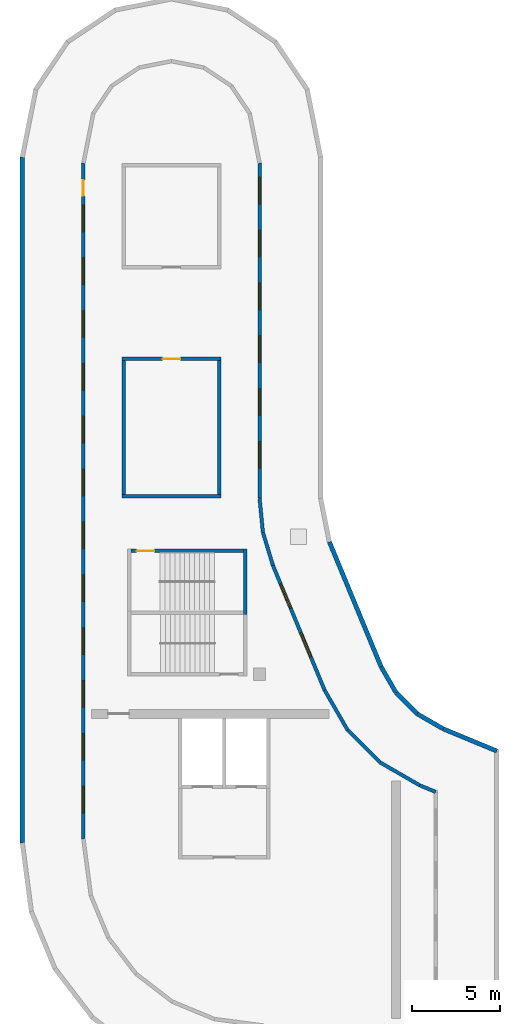
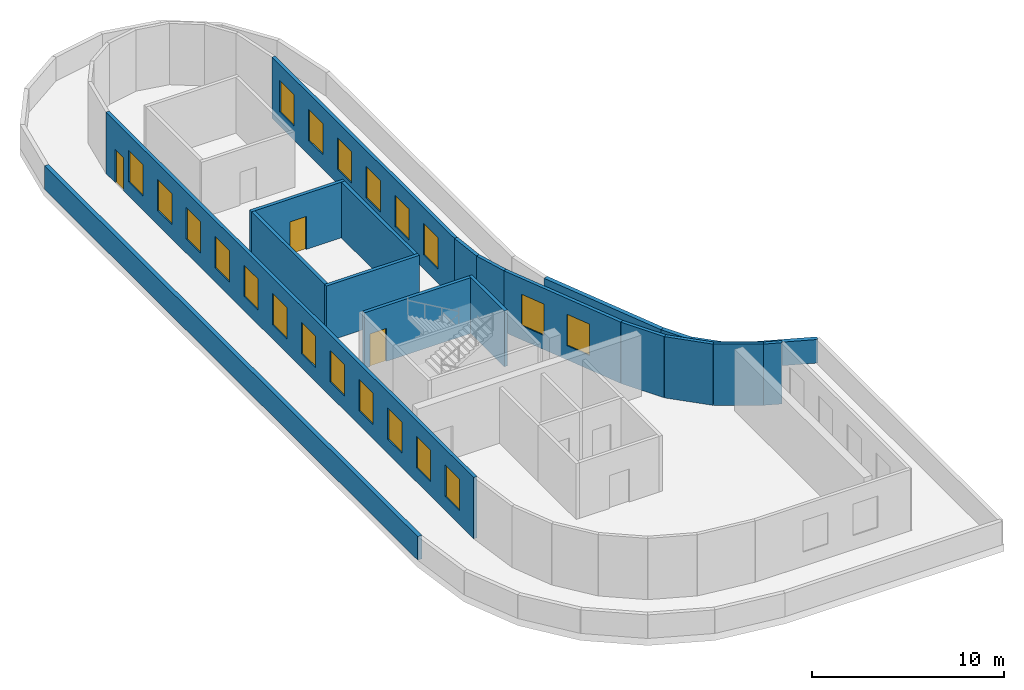
# One storey, part 2 of 4: 21 walls, 20 windows, 3 doors, 23 openings.
"""IFC4 building model written with IfcOpenShell, lengths in metres."""

from ifc_helpers import new_model, si_unit, direction, frame, frame_2d, origin, place, context, subcontext, project, spatial, rectangle, extrude, material, layer, layer_set, type_object, element, fill, save


model = new_model("IFC4")

# Units and contexts
model_context = context("Model", 3, precision=1e-05, world=origin(), true_north=direction((0.0, 1.0)))
body_context = subcontext(model_context, "Body", "Model", "MODEL_VIEW")
ifc_project = project(units=[si_unit("LENGTHUNIT", "METRE"), si_unit("AREAUNIT", "SQUARE_METRE"), si_unit("VOLUMEUNIT", "CUBIC_METRE"), si_unit("PLANEANGLEUNIT", "RADIAN"), si_unit("MASSUNIT", "GRAM", prefix="KILO")], contexts=[model_context])

# Site, building, storey
site_placement = place(None, origin())
site = spatial("IfcSite", under=ifc_project, at=site_placement, CompositionType="ELEMENT")
building_placement = place(site_placement, origin())
building = spatial("IfcBuilding", under=site, at=building_placement, Name="Qaws Garden Tower", CompositionType="ELEMENT")
storey_placement = place(building_placement, frame((0.0, 0.0, 373.800048828125)))
storey = spatial("IfcBuildingStorey", under=building, at=storey_placement, Name="C3", CompositionType="ELEMENT", Elevation=373.800048828125)

# Wall, opening, door
ifc_material_1 = material(Name="Concrete C60", Category="concrete")
ifc_layer_1 = layer(ifc_material_1, 0.199951171875)
ifc_layer_set_1 = layer_set([ifc_layer_1], Name="Concrete C60")
wall_type_1 = type_object("IfcWallType", Name="Core shaft wall 200 C60", PredefinedType="SHEAR", material=ifc_layer_set_1)
wall_1_placement = place(storey_placement, frame((12.699951171875, 37.0, 0.0), z_axis=(0.0, 0.0, 1.0), x_axis=(1.0, 0.0, 0.0)))
wall_1 = element("IfcWall", 1, at=wall_1_placement, inside=storey, type_object=wall_type_1, Name="Crown stair 2 wall", PredefinedType="SHEAR", context=body_context, shape_type="SweptSolid", body=[
    extrude(rectangle(XDim=6.400146484375, YDim=0.199951171875, at=frame_2d((3.2001953125, 0.0))), origin(), (0.0, 0.0, 1.0), 3.550048828125),
])
opening_1_placement = place(wall_1_placement, frame((0.324951171875, 0.0, 0.0)))
opening_1 = element("IfcOpeningElement", 2, at=opening_1_placement, cuts=wall_1, Name="Opening C1021", PredefinedType="OPENING", context=body_context, shape_type="SweptSolid", body=[
    extrude(rectangle(XDim=1.0, YDim=2.10009765625, at=frame_2d((0.5, 1.050048828125))), frame((0.0, 0.10986328125, 0.0), z_axis=(0.0, -1.0, 0.0), x_axis=(1.0, 0.0, 0.0)), (0.0, 0.0, 1.0), 0.219970703125),
])
ifc_material_2 = material(Name="Steel S235", Category="steel")
door_type_1 = type_object("IfcDoorType", Name="Stair door 1000x2100", OperationType="SINGLE_SWING_RIGHT", PredefinedType="DOOR", material=ifc_material_2)
door_1_placement = place(opening_1_placement, frame((1.0, 0.0, 0.0), z_axis=(0.0, 0.0, 1.0), x_axis=(-1.0, 0.0, 0.0)))
door_1 = element("IfcDoor", 3, at=door_1_placement, inside=storey, type_object=door_type_1, Name="Crown stair 2 door", OperationType="SINGLE_SWING_RIGHT", OverallHeight=2.10009765625, OverallWidth=1.0, PredefinedType="DOOR", context=body_context, shape_type="SweptSolid", body=[
    extrude(rectangle(XDim=1.0, YDim=2.10009765625, at=frame_2d((0.5, 1.050048828125))), frame((0.0, 0.02490234375, 0.0), z_axis=(0.0, -1.0, 0.0), x_axis=(1.0, 0.0, 0.0)), (0.0, 0.0, 1.0), 0.050048828125),
])
fill(opening_1, door_1)

# Walls
wall_2_placement = place(storey_placement, frame((19.199951171875, 33.39990234375, 0.0), z_axis=(0.0, 0.0, 1.0), x_axis=(0.0, 1.0, 0.0)))
element("IfcWall", 4, at=wall_2_placement, inside=storey, type_object=wall_type_1, Name="Crown stair 2 wall", PredefinedType="SHEAR", context=body_context, shape_type="SweptSolid", body=[
    extrude(rectangle(XDim=3.7001953125, YDim=0.199951171875, at=frame_2d((1.85009765625, 0.0))), origin(), (0.0, 0.0, 1.0), 3.550048828125),
])
ifc_material_3 = material(Name="Brick masonry", Category="masonry")
ifc_layer_2 = layer(ifc_material_3, 0.25)
ifc_layer_set_2 = layer_set([ifc_layer_2], Name="Brick masonry")
wall_type_2 = type_object("IfcWallType", Name="Parapet 250", PredefinedType="PARAPET", material=ifc_layer_set_2)
wall_3_placement = place(storey_placement, frame((6.52490234375, 20.427734375, 0.0), z_axis=(0.0, 0.0, 1.0), x_axis=(0.0, 1.0, 0.0)))
element("IfcWall", 5, at=wall_3_placement, inside=storey, type_object=wall_type_2, Name="Maintenance terrace parapet C3", PredefinedType="PARAPET", context=body_context, shape_type="SweptSolid", body=[
    extrude(rectangle(XDim=38.9296875, YDim=0.25, at=frame_2d((19.46484375, 0.0))), origin(), (0.0, 0.0, 1.0), 1.5),
])
wall_4_placement = place(storey_placement, frame((23.967041015625, 37.514404296875, 0.0), z_axis=(0.0, 0.0, 1.0), x_axis=(0.382678651477, -0.923881512806, 0.0)))
element("IfcWall", 6, at=wall_4_placement, inside=storey, type_object=wall_type_2, Name="Maintenance terrace parapet C3", PredefinedType="PARAPET", context=body_context, shape_type="SweptSolid", body=[
    extrude(rectangle(XDim=7.67431640625, YDim=0.25, at=frame_2d((3.837158203125, 0.0))), origin(), (0.0, 0.0, 1.0), 1.5),
])
wall_5_placement = place(storey_placement, frame((26.90380859375, 30.42431640625, 0.0), z_axis=(0.0, 0.0, 1.0), x_axis=(0.499980071345, -0.866036909293, 0.0)))
element("IfcWall", 7, at=wall_5_placement, inside=storey, type_object=wall_type_2, Name="Maintenance terrace parapet C3", PredefinedType="PARAPET", context=body_context, shape_type="SweptSolid", body=[
    extrude(rectangle(XDim=1.6953125, YDim=0.25, at=frame_2d((0.84765625, 0.0))), origin(), (0.0, 0.0, 1.0), 1.5),
])
wall_6_placement = place(storey_placement, frame((27.75146484375, 28.9560546875, 0.0), z_axis=(0.0, 0.0, 1.0), x_axis=(0.707106781187, -0.707106781187, 0.0)))
element("IfcWall", 8, at=wall_6_placement, inside=storey, type_object=wall_type_2, Name="Maintenance terrace parapet C3", PredefinedType="PARAPET", context=body_context, shape_type="SweptSolid", body=[
    extrude(rectangle(XDim=1.70361328125, YDim=0.25, at=frame_2d((0.851806640625, 0.0))), origin(), (0.0, 0.0, 1.0), 1.5),
])
wall_7_placement = place(storey_placement, frame((28.9560546875, 27.75146484375, 0.0), z_axis=(0.0, 0.0, 1.0), x_axis=(0.866036909293, -0.499980071345, 0.0)))
element("IfcWall", 9, at=wall_7_placement, inside=storey, type_object=wall_type_2, Name="Maintenance terrace parapet C3", PredefinedType="PARAPET", context=body_context, shape_type="SweptSolid", body=[
    extrude(rectangle(XDim=1.6953125, YDim=0.25, at=frame_2d((0.84765625, 0.0))), origin(), (0.0, 0.0, 1.0), 1.5),
])
wall_8_placement = place(storey_placement, frame((30.42431640625, 26.90380859375, 0.0), z_axis=(0.0, 0.0, 1.0), x_axis=(0.923879863842, -0.382682632462, 0.0)))
element("IfcWall", 10, at=wall_8_placement, inside=storey, type_object=wall_type_2, Name="Maintenance terrace parapet C3", PredefinedType="PARAPET", context=body_context, shape_type="SweptSolid", body=[
    extrude(rectangle(XDim=3.30224609375, YDim=0.25, at=frame_2d((1.651123046875, 0.0))), origin(), (0.0, 0.0, 1.0), 1.5),
])
ifc_material_4 = material(Name="Blockwork", Category="masonry")
ifc_layer_3 = layer(ifc_material_4, 0.199951171875)
ifc_layer_set_3 = layer_set([ifc_layer_3], Name="Blockwork")
wall_type_3 = type_object("IfcWallType", Name="Plant room wall 200", PredefinedType="PARTITIONING", material=ifc_layer_set_3)
wall_9_placement = place(storey_placement, frame((12.199951171875, 40.10009765625, 0.0), z_axis=(0.0, 0.0, 1.0), x_axis=(1.0, 0.0, 0.0)))
element("IfcWall", 11, at=wall_9_placement, inside=storey, type_object=wall_type_3, Name="Roof plant room wall", PredefinedType="PARTITIONING", context=body_context, shape_type="SweptSolid", body=[
    extrude(rectangle(XDim=5.60009765625, YDim=0.199951171875, at=frame_2d((2.800048828125, 0.0))), origin(), (0.0, 0.0, 1.0), 3.550048828125),
])

# Wall, opening, door
wall_10_placement = place(storey_placement, frame((12.199951171875, 47.89990234375, 0.0), z_axis=(0.0, 0.0, 1.0), x_axis=(1.0, 0.0, 0.0)))
wall_10 = element("IfcWall", 12, at=wall_10_placement, inside=storey, type_object=wall_type_3, Name="Roof plant room wall", PredefinedType="PARTITIONING", context=body_context, shape_type="SweptSolid", body=[
    extrude(rectangle(XDim=5.60009765625, YDim=0.199951171875, at=frame_2d((2.800048828125, 0.0))), origin(), (0.0, 0.0, 1.0), 3.550048828125),
])
opening_2_placement = place(wall_10_placement, frame((2.300048828125, 0.0, 0.0)))
opening_2 = element("IfcOpeningElement", 13, at=opening_2_placement, cuts=wall_10, Name="Opening PD12-01", PredefinedType="OPENING", context=body_context, shape_type="SweptSolid", body=[
    extrude(rectangle(XDim=1.0, YDim=2.10009765625, at=frame_2d((0.5, 1.050048828125))), frame((0.0, 0.10986328125, 0.0), z_axis=(0.0, -1.0, 0.0), x_axis=(1.0, 0.0, 0.0)), (0.0, 0.0, 1.0), 0.219970703125),
])
ifc_material_5 = material(Name="Steel S235 framed door leaf", Category="steel")
door_type_2 = type_object("IfcDoorType", Name="Door D12 fire single 1000", OperationType="SINGLE_SWING_LEFT", PredefinedType="DOOR", material=ifc_material_5)
door_2_placement = place(opening_2_placement, frame((1.0, 0.0, 0.0), z_axis=(0.0, 0.0, 1.0), x_axis=(-1.0, 0.0, 0.0)))
door_2 = element("IfcDoor", 14, at=door_2_placement, inside=storey, type_object=door_type_2, Name="Roof plant room door", OperationType="SINGLE_SWING_LEFT", OverallHeight=2.10009765625, OverallWidth=1.0, PredefinedType="DOOR", context=body_context, shape_type="SweptSolid", body=[
    extrude(rectangle(XDim=1.0, YDim=2.10009765625, at=frame_2d((0.5, 1.050048828125))), frame((0.0, 0.02490234375, 0.0), z_axis=(0.0, -1.0, 0.0), x_axis=(1.0, 0.0, 0.0)), (0.0, 0.0, 1.0), 0.050048828125),
])
fill(opening_2, door_2)

# Walls
for number, where, z_axis, x_axis, name in (
    (15, (12.300048828125, 40.199951171875, 0.0), (0.0, 0.0, 1.0), (0.0, 1.0, 0.0), "Roof plant room wall"),
    (16, (17.699951171875, 40.199951171875, 0.0), (0.0, 0.0, 1.0), (0.0, 1.0, 0.0), "Roof plant room wall"),
):
    element("IfcWall", number, at=place(storey_placement, frame(where, z_axis=z_axis, x_axis=x_axis)), inside=storey, type_object=wall_type_3, Name=name, PredefinedType="PARTITIONING", context=body_context, shape_type="SweptSolid", body=[
        extrude(rectangle(XDim=7.60009765625, YDim=0.199951171875, at=frame_2d((3.800048828125, 0.0))), origin(), (0.0, 0.0, 1.0), 3.550048828125),
    ])

# Wall, openings, windows, door
ifc_material_6 = material(Name="Brick masonry", Category="masonry")
ifc_layer_4 = layer(ifc_material_6, 0.199951171875)
ifc_layer_set_4 = layer_set([ifc_layer_4], Name="Brick masonry")
wall_type_4 = type_object("IfcWallType", Name="Plant screen louvre 200", PredefinedType="STANDARD", material=ifc_layer_set_4)
wall_11_placement = place(storey_placement, frame((10.0, 20.655517578125, 0.0), z_axis=(0.0, 0.0, 1.0), x_axis=(0.0, 1.0, 0.0)))
wall_11 = element("IfcWall", 17, at=wall_11_placement, inside=storey, type_object=wall_type_4, Name="Plant screen wall C3 7", PredefinedType="STANDARD", context=body_context, shape_type="SweptSolid", body=[
    extrude(rectangle(XDim=38.359619140625, YDim=0.199951171875, at=frame_2d((19.1796875, 0.0))), origin(), (0.0, 0.0, 1.0), 3.89990234375),
])
opening_3_placement = place(wall_11_placement, frame((1.479736328125, 0.0, 0.89990234375)))
opening_3 = element("IfcOpeningElement", 18, at=opening_3_placement, cuts=wall_11, Name="Opening PW-S4", PredefinedType="OPENING", context=body_context, shape_type="SweptSolid", body=[
    extrude(rectangle(XDim=1.5, YDim=2.0, at=frame_2d((0.75, 1.0))), frame((0.0, 0.10986328125, 0.0), z_axis=(0.0, -1.0, 0.0), x_axis=(1.0, 0.0, 0.0)), (0.0, 0.0, 1.0), 0.219970703125),
])
opening_4_placement = place(wall_11_placement, frame((4.479736328125, 0.0, 0.89990234375)))
opening_4 = element("IfcOpeningElement", 19, at=opening_4_placement, cuts=wall_11, Name="Opening PW-S4", PredefinedType="OPENING", context=body_context, shape_type="SweptSolid", body=[
    extrude(rectangle(XDim=1.5, YDim=2.0, at=frame_2d((0.75, 1.0))), frame((0.0, 0.10986328125, 0.0), z_axis=(0.0, -1.0, 0.0), x_axis=(1.0, 0.0, 0.0)), (0.0, 0.0, 1.0), 0.219970703125),
])
opening_5_placement = place(wall_11_placement, frame((7.479736328125, 0.0, 0.89990234375)))
opening_5 = element("IfcOpeningElement", 20, at=opening_5_placement, cuts=wall_11, Name="Opening PW-S4", PredefinedType="OPENING", context=body_context, shape_type="SweptSolid", body=[
    extrude(rectangle(XDim=1.5, YDim=2.0, at=frame_2d((0.75, 1.0))), frame((0.0, 0.10986328125, 0.0), z_axis=(0.0, -1.0, 0.0), x_axis=(1.0, 0.0, 0.0)), (0.0, 0.0, 1.0), 0.219970703125),
])
opening_6_placement = place(wall_11_placement, frame((10.479736328125, 0.0, 0.89990234375)))
opening_6 = element("IfcOpeningElement", 21, at=opening_6_placement, cuts=wall_11, Name="Opening PW-S4", PredefinedType="OPENING", context=body_context, shape_type="SweptSolid", body=[
    extrude(rectangle(XDim=1.5, YDim=2.0, at=frame_2d((0.75, 1.0))), frame((0.0, 0.10986328125, 0.0), z_axis=(0.0, -1.0, 0.0), x_axis=(1.0, 0.0, 0.0)), (0.0, 0.0, 1.0), 0.219970703125),
])
opening_7_placement = place(wall_11_placement, frame((13.479736328125, 0.0, 0.89990234375)))
opening_7 = element("IfcOpeningElement", 22, at=opening_7_placement, cuts=wall_11, Name="Opening PW-S4", PredefinedType="OPENING", context=body_context, shape_type="SweptSolid", body=[
    extrude(rectangle(XDim=1.5, YDim=2.0, at=frame_2d((0.75, 1.0))), frame((0.0, 0.10986328125, 0.0), z_axis=(0.0, -1.0, 0.0), x_axis=(1.0, 0.0, 0.0)), (0.0, 0.0, 1.0), 0.219970703125),
])
opening_8_placement = place(wall_11_placement, frame((16.479736328125, 0.0, 0.89990234375)))
opening_8 = element("IfcOpeningElement", 23, at=opening_8_placement, cuts=wall_11, Name="Opening PW-S4", PredefinedType="OPENING", context=body_context, shape_type="SweptSolid", body=[
    extrude(rectangle(XDim=1.5, YDim=2.0, at=frame_2d((0.75, 1.0))), frame((0.0, 0.10986328125, 0.0), z_axis=(0.0, -1.0, 0.0), x_axis=(1.0, 0.0, 0.0)), (0.0, 0.0, 1.0), 0.219970703125),
])
opening_9_placement = place(wall_11_placement, frame((19.479736328125, 0.0, 0.89990234375)))
opening_9 = element("IfcOpeningElement", 24, at=opening_9_placement, cuts=wall_11, Name="Opening PW-S4", PredefinedType="OPENING", context=body_context, shape_type="SweptSolid", body=[
    extrude(rectangle(XDim=1.5, YDim=2.0, at=frame_2d((0.75, 1.0))), frame((0.0, 0.10986328125, 0.0), z_axis=(0.0, -1.0, 0.0), x_axis=(1.0, 0.0, 0.0)), (0.0, 0.0, 1.0), 0.219970703125),
])
opening_10_placement = place(wall_11_placement, frame((22.479736328125, 0.0, 0.89990234375)))
opening_10 = element("IfcOpeningElement", 25, at=opening_10_placement, cuts=wall_11, Name="Opening PW-S4", PredefinedType="OPENING", context=body_context, shape_type="SweptSolid", body=[
    extrude(rectangle(XDim=1.5, YDim=2.0, at=frame_2d((0.75, 1.0))), frame((0.0, 0.10986328125, 0.0), z_axis=(0.0, -1.0, 0.0), x_axis=(1.0, 0.0, 0.0)), (0.0, 0.0, 1.0), 0.219970703125),
])
opening_11_placement = place(wall_11_placement, frame((25.479736328125, 0.0, 0.89990234375)))
opening_11 = element("IfcOpeningElement", 26, at=opening_11_placement, cuts=wall_11, Name="Opening PW-S4", PredefinedType="OPENING", context=body_context, shape_type="SweptSolid", body=[
    extrude(rectangle(XDim=1.5, YDim=2.0, at=frame_2d((0.75, 1.0))), frame((0.0, 0.10986328125, 0.0), z_axis=(0.0, -1.0, 0.0), x_axis=(1.0, 0.0, 0.0)), (0.0, 0.0, 1.0), 0.219970703125),
])
opening_12_placement = place(wall_11_placement, frame((28.479736328125, 0.0, 0.89990234375)))
opening_12 = element("IfcOpeningElement", 27, at=opening_12_placement, cuts=wall_11, Name="Opening PW-S4", PredefinedType="OPENING", context=body_context, shape_type="SweptSolid", body=[
    extrude(rectangle(XDim=1.5, YDim=2.0, at=frame_2d((0.75, 1.0))), frame((0.0, 0.10986328125, 0.0), z_axis=(0.0, -1.0, 0.0), x_axis=(1.0, 0.0, 0.0)), (0.0, 0.0, 1.0), 0.219970703125),
])
opening_13_placement = place(wall_11_placement, frame((31.479736328125, 0.0, 0.89990234375)))
opening_13 = element("IfcOpeningElement", 28, at=opening_13_placement, cuts=wall_11, Name="Opening PW-S4", PredefinedType="OPENING", context=body_context, shape_type="SweptSolid", body=[
    extrude(rectangle(XDim=1.5, YDim=2.0, at=frame_2d((0.75, 1.0))), frame((0.0, 0.10986328125, 0.0), z_axis=(0.0, -1.0, 0.0), x_axis=(1.0, 0.0, 0.0)), (0.0, 0.0, 1.0), 0.219970703125),
])
opening_14_placement = place(wall_11_placement, frame((34.479736328125, 0.0, 0.89990234375)))
opening_14 = element("IfcOpeningElement", 29, at=opening_14_placement, cuts=wall_11, Name="Opening PW-S4", PredefinedType="OPENING", context=body_context, shape_type="SweptSolid", body=[
    extrude(rectangle(XDim=1.5, YDim=2.0, at=frame_2d((0.75, 1.0))), frame((0.0, 0.10986328125, 0.0), z_axis=(0.0, -1.0, 0.0), x_axis=(1.0, 0.0, 0.0)), (0.0, 0.0, 1.0), 0.219970703125),
])
opening_15_placement = place(wall_11_placement, frame((36.5, 0.0, 0.0)))
opening_15 = element("IfcOpeningElement", 30, at=opening_15_placement, cuts=wall_11, Name="Opening PD9-01", PredefinedType="OPENING", context=body_context, shape_type="SweptSolid", body=[
    extrude(rectangle(XDim=0.89990234375, YDim=2.10009765625, at=frame_2d((0.449951171875, 1.050048828125))), frame((0.0, 0.10986328125, 0.0), z_axis=(0.0, -1.0, 0.0), x_axis=(1.0, 0.0, 0.0)), (0.0, 0.0, 1.0), 0.219970703125),
])
ifc_material_7 = material(Name="Aluminium louvre", Category="aluminium")
window_type = type_object("IfcWindowType", Name="Plant louvre 1500", PartitioningType="SINGLE_PANEL", PredefinedType="WINDOW", material=ifc_material_7)
window_1_placement = place(opening_3_placement, origin())
window_1 = element("IfcWindow", 31, at=window_1_placement, inside=storey, type_object=window_type, Name="Plant louvre", OverallHeight=2.0, OverallWidth=1.5, PartitioningType="SINGLE_PANEL", PredefinedType="WINDOW", context=body_context, shape_type="SweptSolid", body=[
    extrude(rectangle(XDim=1.5, YDim=2.0, at=frame_2d((0.75, 1.0))), frame((0.0, 0.030029296875, 0.0), z_axis=(0.0, -1.0, 0.0), x_axis=(1.0, 0.0, 0.0)), (0.0, 0.0, 1.0), 0.06005859375),
])
fill(opening_3, window_1)
window_2_placement = place(opening_4_placement, origin())
window_2 = element("IfcWindow", 32, at=window_2_placement, inside=storey, type_object=window_type, Name="Plant louvre", OverallHeight=2.0, OverallWidth=1.5, PartitioningType="SINGLE_PANEL", PredefinedType="WINDOW", context=body_context, shape_type="SweptSolid", body=[
    extrude(rectangle(XDim=1.5, YDim=2.0, at=frame_2d((0.75, 1.0))), frame((0.0, 0.030029296875, 0.0), z_axis=(0.0, -1.0, 0.0), x_axis=(1.0, 0.0, 0.0)), (0.0, 0.0, 1.0), 0.06005859375),
])
fill(opening_4, window_2)
window_3_placement = place(opening_5_placement, origin())
window_3 = element("IfcWindow", 33, at=window_3_placement, inside=storey, type_object=window_type, Name="Plant louvre", OverallHeight=2.0, OverallWidth=1.5, PartitioningType="SINGLE_PANEL", PredefinedType="WINDOW", context=body_context, shape_type="SweptSolid", body=[
    extrude(rectangle(XDim=1.5, YDim=2.0, at=frame_2d((0.75, 1.0))), frame((0.0, 0.030029296875, 0.0), z_axis=(0.0, -1.0, 0.0), x_axis=(1.0, 0.0, 0.0)), (0.0, 0.0, 1.0), 0.06005859375),
])
fill(opening_5, window_3)
window_4_placement = place(opening_6_placement, origin())
window_4 = element("IfcWindow", 34, at=window_4_placement, inside=storey, type_object=window_type, Name="Plant louvre", OverallHeight=2.0, OverallWidth=1.5, PartitioningType="SINGLE_PANEL", PredefinedType="WINDOW", context=body_context, shape_type="SweptSolid", body=[
    extrude(rectangle(XDim=1.5, YDim=2.0, at=frame_2d((0.75, 1.0))), frame((0.0, 0.030029296875, 0.0), z_axis=(0.0, -1.0, 0.0), x_axis=(1.0, 0.0, 0.0)), (0.0, 0.0, 1.0), 0.06005859375),
])
fill(opening_6, window_4)
window_5_placement = place(opening_7_placement, origin())
window_5 = element("IfcWindow", 35, at=window_5_placement, inside=storey, type_object=window_type, Name="Plant louvre", OverallHeight=2.0, OverallWidth=1.5, PartitioningType="SINGLE_PANEL", PredefinedType="WINDOW", context=body_context, shape_type="SweptSolid", body=[
    extrude(rectangle(XDim=1.5, YDim=2.0, at=frame_2d((0.75, 1.0))), frame((0.0, 0.030029296875, 0.0), z_axis=(0.0, -1.0, 0.0), x_axis=(1.0, 0.0, 0.0)), (0.0, 0.0, 1.0), 0.06005859375),
])
fill(opening_7, window_5)
window_6_placement = place(opening_8_placement, origin())
window_6 = element("IfcWindow", 36, at=window_6_placement, inside=storey, type_object=window_type, Name="Plant louvre", OverallHeight=2.0, OverallWidth=1.5, PartitioningType="SINGLE_PANEL", PredefinedType="WINDOW", context=body_context, shape_type="SweptSolid", body=[
    extrude(rectangle(XDim=1.5, YDim=2.0, at=frame_2d((0.75, 1.0))), frame((0.0, 0.030029296875, 0.0), z_axis=(0.0, -1.0, 0.0), x_axis=(1.0, 0.0, 0.0)), (0.0, 0.0, 1.0), 0.06005859375),
])
fill(opening_8, window_6)
window_7_placement = place(opening_9_placement, origin())
window_7 = element("IfcWindow", 37, at=window_7_placement, inside=storey, type_object=window_type, Name="Plant louvre", OverallHeight=2.0, OverallWidth=1.5, PartitioningType="SINGLE_PANEL", PredefinedType="WINDOW", context=body_context, shape_type="SweptSolid", body=[
    extrude(rectangle(XDim=1.5, YDim=2.0, at=frame_2d((0.75, 1.0))), frame((0.0, 0.030029296875, 0.0), z_axis=(0.0, -1.0, 0.0), x_axis=(1.0, 0.0, 0.0)), (0.0, 0.0, 1.0), 0.06005859375),
])
fill(opening_9, window_7)
window_8_placement = place(opening_10_placement, origin())
window_8 = element("IfcWindow", 38, at=window_8_placement, inside=storey, type_object=window_type, Name="Plant louvre", OverallHeight=2.0, OverallWidth=1.5, PartitioningType="SINGLE_PANEL", PredefinedType="WINDOW", context=body_context, shape_type="SweptSolid", body=[
    extrude(rectangle(XDim=1.5, YDim=2.0, at=frame_2d((0.75, 1.0))), frame((0.0, 0.030029296875, 0.0), z_axis=(0.0, -1.0, 0.0), x_axis=(1.0, 0.0, 0.0)), (0.0, 0.0, 1.0), 0.06005859375),
])
fill(opening_10, window_8)
window_9_placement = place(opening_11_placement, origin())
window_9 = element("IfcWindow", 39, at=window_9_placement, inside=storey, type_object=window_type, Name="Plant louvre", OverallHeight=2.0, OverallWidth=1.5, PartitioningType="SINGLE_PANEL", PredefinedType="WINDOW", context=body_context, shape_type="SweptSolid", body=[
    extrude(rectangle(XDim=1.5, YDim=2.0, at=frame_2d((0.75, 1.0))), frame((0.0, 0.030029296875, 0.0), z_axis=(0.0, -1.0, 0.0), x_axis=(1.0, 0.0, 0.0)), (0.0, 0.0, 1.0), 0.06005859375),
])
fill(opening_11, window_9)
window_10_placement = place(opening_12_placement, origin())
window_10 = element("IfcWindow", 40, at=window_10_placement, inside=storey, type_object=window_type, Name="Plant louvre", OverallHeight=2.0, OverallWidth=1.5, PartitioningType="SINGLE_PANEL", PredefinedType="WINDOW", context=body_context, shape_type="SweptSolid", body=[
    extrude(rectangle(XDim=1.5, YDim=2.0, at=frame_2d((0.75, 1.0))), frame((0.0, 0.030029296875, 0.0), z_axis=(0.0, -1.0, 0.0), x_axis=(1.0, 0.0, 0.0)), (0.0, 0.0, 1.0), 0.06005859375),
])
fill(opening_12, window_10)
window_11_placement = place(opening_13_placement, origin())
window_11 = element("IfcWindow", 41, at=window_11_placement, inside=storey, type_object=window_type, Name="Plant louvre", OverallHeight=2.0, OverallWidth=1.5, PartitioningType="SINGLE_PANEL", PredefinedType="WINDOW", context=body_context, shape_type="SweptSolid", body=[
    extrude(rectangle(XDim=1.5, YDim=2.0, at=frame_2d((0.75, 1.0))), frame((0.0, 0.030029296875, 0.0), z_axis=(0.0, -1.0, 0.0), x_axis=(1.0, 0.0, 0.0)), (0.0, 0.0, 1.0), 0.06005859375),
])
fill(opening_13, window_11)
window_12_placement = place(opening_14_placement, origin())
window_12 = element("IfcWindow", 42, at=window_12_placement, inside=storey, type_object=window_type, Name="Plant louvre", OverallHeight=2.0, OverallWidth=1.5, PartitioningType="SINGLE_PANEL", PredefinedType="WINDOW", context=body_context, shape_type="SweptSolid", body=[
    extrude(rectangle(XDim=1.5, YDim=2.0, at=frame_2d((0.75, 1.0))), frame((0.0, 0.030029296875, 0.0), z_axis=(0.0, -1.0, 0.0), x_axis=(1.0, 0.0, 0.0)), (0.0, 0.0, 1.0), 0.06005859375),
])
fill(opening_14, window_12)
ifc_material_8 = material(Name="Steel S235 louvred door leaf", Category="steel")
door_type_3 = type_object("IfcDoorType", Name="Roof access door 900", OperationType="SINGLE_SWING_LEFT", PredefinedType="DOOR", material=ifc_material_8)
door_3_placement = place(opening_15_placement, origin())
door_3 = element("IfcDoor", 43, at=door_3_placement, inside=storey, type_object=door_type_3, Name="Plant service door to the maintenance terrace", OperationType="SINGLE_SWING_LEFT", OverallHeight=2.10009765625, OverallWidth=0.89990234375, PredefinedType="DOOR", context=body_context, shape_type="SweptSolid", body=[
    extrude(rectangle(XDim=0.89990234375, YDim=2.10009765625, at=frame_2d((0.449951171875, 1.050048828125))), frame((0.0, 0.02490234375, 0.0), z_axis=(0.0, -1.0, 0.0), x_axis=(1.0, 0.0, 0.0)), (0.0, 0.0, 1.0), 0.050048828125),
])
fill(opening_15, door_3)

# Wall, openings, windows
wall_12_placement = place(storey_placement, frame((20.0, 59.01513671875, 0.0), z_axis=(0.0, 0.0, 1.0), x_axis=(0.0, -1.0, 0.0)))
wall_12 = element("IfcWall", 44, at=wall_12_placement, inside=storey, type_object=wall_type_4, Name="Plant screen wall C3 16", PredefinedType="STANDARD", context=body_context, shape_type="SweptSolid", body=[
    extrude(rectangle(XDim=19.02001953125, YDim=0.199951171875, at=frame_2d((9.510009765625, 0.0))), origin(), (0.0, 0.0, 1.0), 3.89990234375),
])
opening_16_placement = place(wall_12_placement, frame((0.81005859375, 0.0, 0.89990234375)))
opening_16 = element("IfcOpeningElement", 45, at=opening_16_placement, cuts=wall_12, Name="Opening PW-S4", PredefinedType="OPENING", context=body_context, shape_type="SweptSolid", body=[
    extrude(rectangle(XDim=1.5, YDim=2.0, at=frame_2d((0.75, 1.0))), frame((0.0, 0.10986328125, 0.0), z_axis=(0.0, -1.0, 0.0), x_axis=(1.0, 0.0, 0.0)), (0.0, 0.0, 1.0), 0.219970703125),
])
opening_17_placement = place(wall_12_placement, frame((3.81005859375, 0.0, 0.89990234375)))
opening_17 = element("IfcOpeningElement", 46, at=opening_17_placement, cuts=wall_12, Name="Opening PW-S4", PredefinedType="OPENING", context=body_context, shape_type="SweptSolid", body=[
    extrude(rectangle(XDim=1.5, YDim=2.0, at=frame_2d((0.75, 1.0))), frame((0.0, 0.10986328125, 0.0), z_axis=(0.0, -1.0, 0.0), x_axis=(1.0, 0.0, 0.0)), (0.0, 0.0, 1.0), 0.219970703125),
])
opening_18_placement = place(wall_12_placement, frame((6.81005859375, 0.0, 0.89990234375)))
opening_18 = element("IfcOpeningElement", 47, at=opening_18_placement, cuts=wall_12, Name="Opening PW-S4", PredefinedType="OPENING", context=body_context, shape_type="SweptSolid", body=[
    extrude(rectangle(XDim=1.5, YDim=2.0, at=frame_2d((0.75, 1.0))), frame((0.0, 0.10986328125, 0.0), z_axis=(0.0, -1.0, 0.0), x_axis=(1.0, 0.0, 0.0)), (0.0, 0.0, 1.0), 0.219970703125),
])
opening_19_placement = place(wall_12_placement, frame((9.81005859375, 0.0, 0.89990234375)))
opening_19 = element("IfcOpeningElement", 48, at=opening_19_placement, cuts=wall_12, Name="Opening PW-S4", PredefinedType="OPENING", context=body_context, shape_type="SweptSolid", body=[
    extrude(rectangle(XDim=1.5, YDim=2.0, at=frame_2d((0.75, 1.0))), frame((0.0, 0.10986328125, 0.0), z_axis=(0.0, -1.0, 0.0), x_axis=(1.0, 0.0, 0.0)), (0.0, 0.0, 1.0), 0.219970703125),
])
opening_20_placement = place(wall_12_placement, frame((12.81005859375, 0.0, 0.89990234375)))
opening_20 = element("IfcOpeningElement", 49, at=opening_20_placement, cuts=wall_12, Name="Opening PW-S4", PredefinedType="OPENING", context=body_context, shape_type="SweptSolid", body=[
    extrude(rectangle(XDim=1.5, YDim=2.0, at=frame_2d((0.75, 1.0))), frame((0.0, 0.10986328125, 0.0), z_axis=(0.0, -1.0, 0.0), x_axis=(1.0, 0.0, 0.0)), (0.0, 0.0, 1.0), 0.219970703125),
])
opening_21_placement = place(wall_12_placement, frame((15.81005859375, 0.0, 0.89990234375)))
opening_21 = element("IfcOpeningElement", 50, at=opening_21_placement, cuts=wall_12, Name="Opening PW-S4", PredefinedType="OPENING", context=body_context, shape_type="SweptSolid", body=[
    extrude(rectangle(XDim=1.5, YDim=2.0, at=frame_2d((0.75, 1.0))), frame((0.0, 0.10986328125, 0.0), z_axis=(0.0, -1.0, 0.0), x_axis=(1.0, 0.0, 0.0)), (0.0, 0.0, 1.0), 0.219970703125),
])
window_13_placement = place(opening_16_placement, origin())
window_13 = element("IfcWindow", 51, at=window_13_placement, inside=storey, type_object=window_type, Name="Plant louvre", OverallHeight=2.0, OverallWidth=1.5, PartitioningType="SINGLE_PANEL", PredefinedType="WINDOW", context=body_context, shape_type="SweptSolid", body=[
    extrude(rectangle(XDim=1.5, YDim=2.0, at=frame_2d((0.75, 1.0))), frame((0.0, 0.030029296875, 0.0), z_axis=(0.0, -1.0, 0.0), x_axis=(1.0, 0.0, 0.0)), (0.0, 0.0, 1.0), 0.06005859375),
])
fill(opening_16, window_13)
window_14_placement = place(opening_17_placement, origin())
window_14 = element("IfcWindow", 52, at=window_14_placement, inside=storey, type_object=window_type, Name="Plant louvre", OverallHeight=2.0, OverallWidth=1.5, PartitioningType="SINGLE_PANEL", PredefinedType="WINDOW", context=body_context, shape_type="SweptSolid", body=[
    extrude(rectangle(XDim=1.5, YDim=2.0, at=frame_2d((0.75, 1.0))), frame((0.0, 0.030029296875, 0.0), z_axis=(0.0, -1.0, 0.0), x_axis=(1.0, 0.0, 0.0)), (0.0, 0.0, 1.0), 0.06005859375),
])
fill(opening_17, window_14)
window_15_placement = place(opening_18_placement, origin())
window_15 = element("IfcWindow", 53, at=window_15_placement, inside=storey, type_object=window_type, Name="Plant louvre", OverallHeight=2.0, OverallWidth=1.5, PartitioningType="SINGLE_PANEL", PredefinedType="WINDOW", context=body_context, shape_type="SweptSolid", body=[
    extrude(rectangle(XDim=1.5, YDim=2.0, at=frame_2d((0.75, 1.0))), frame((0.0, 0.030029296875, 0.0), z_axis=(0.0, -1.0, 0.0), x_axis=(1.0, 0.0, 0.0)), (0.0, 0.0, 1.0), 0.06005859375),
])
fill(opening_18, window_15)
window_16_placement = place(opening_19_placement, origin())
window_16 = element("IfcWindow", 54, at=window_16_placement, inside=storey, type_object=window_type, Name="Plant louvre", OverallHeight=2.0, OverallWidth=1.5, PartitioningType="SINGLE_PANEL", PredefinedType="WINDOW", context=body_context, shape_type="SweptSolid", body=[
    extrude(rectangle(XDim=1.5, YDim=2.0, at=frame_2d((0.75, 1.0))), frame((0.0, 0.030029296875, 0.0), z_axis=(0.0, -1.0, 0.0), x_axis=(1.0, 0.0, 0.0)), (0.0, 0.0, 1.0), 0.06005859375),
])
fill(opening_19, window_16)
window_17_placement = place(opening_20_placement, origin())
window_17 = element("IfcWindow", 55, at=window_17_placement, inside=storey, type_object=window_type, Name="Plant louvre", OverallHeight=2.0, OverallWidth=1.5, PartitioningType="SINGLE_PANEL", PredefinedType="WINDOW", context=body_context, shape_type="SweptSolid", body=[
    extrude(rectangle(XDim=1.5, YDim=2.0, at=frame_2d((0.75, 1.0))), frame((0.0, 0.030029296875, 0.0), z_axis=(0.0, -1.0, 0.0), x_axis=(1.0, 0.0, 0.0)), (0.0, 0.0, 1.0), 0.06005859375),
])
fill(opening_20, window_17)
window_18_placement = place(opening_21_placement, origin())
window_18 = element("IfcWindow", 56, at=window_18_placement, inside=storey, type_object=window_type, Name="Plant louvre", OverallHeight=2.0, OverallWidth=1.5, PartitioningType="SINGLE_PANEL", PredefinedType="WINDOW", context=body_context, shape_type="SweptSolid", body=[
    extrude(rectangle(XDim=1.5, YDim=2.0, at=frame_2d((0.75, 1.0))), frame((0.0, 0.030029296875, 0.0), z_axis=(0.0, -1.0, 0.0), x_axis=(1.0, 0.0, 0.0)), (0.0, 0.0, 1.0), 0.06005859375),
])
fill(opening_21, window_18)

# Walls
for number, where, z_axis, x_axis, name in (
    (57, (20.0, 39.9951171875, 0.0), (0.0, 0.0, 1.0), (0.098007869425, -0.995185639733, 0.0), "Plant screen wall C3 17"),
    (58, (20.191650390625, 38.049072265625, 0.0), (0.0, 0.0, 1.0), (0.290267261951, -0.956945618434, 0.0), "Plant screen wall C3 18"),
):
    element("IfcWall", number, at=place(storey_placement, frame(where, z_axis=z_axis, x_axis=x_axis)), inside=storey, type_object=wall_type_4, Name=name, PredefinedType="STANDARD", context=body_context, shape_type="SweptSolid", body=[
        extrude(rectangle(XDim=1.95556640625, YDim=0.199951171875, at=frame_2d((0.977783203125, 0.0))), origin(), (0.0, 0.0, 1.0), 3.89990234375),
    ])

# Wall, openings, windows
wall_13_placement = place(storey_placement, frame((20.75927734375, 36.177734375, 0.0), z_axis=(0.0, 0.0, 1.0), x_axis=(0.38268090941, -0.923880577549, 0.0)))
wall_13 = element("IfcWall", 59, at=wall_13_placement, inside=storey, type_object=wall_type_4, Name="Plant screen wall C3 19", PredefinedType="STANDARD", context=body_context, shape_type="SweptSolid", body=[
    extrude(rectangle(XDim=7.665283203125, YDim=0.199951171875, at=frame_2d((3.83251953125, 0.0))), origin(), (0.0, 0.0, 1.0), 3.89990234375),
])
opening_22_placement = place(wall_13_placement, frame((1.132568359375, 0.0, 0.89990234375)))
opening_22 = element("IfcOpeningElement", 60, at=opening_22_placement, cuts=wall_13, Name="Opening PW-S4", PredefinedType="OPENING", context=body_context, shape_type="SweptSolid", body=[
    extrude(rectangle(XDim=1.5, YDim=2.0, at=frame_2d((0.75, 1.0))), frame((0.0, 0.10986328125, 0.0), z_axis=(0.0, -1.0, 0.0), x_axis=(1.0, 0.0, 0.0)), (0.0, 0.0, 1.0), 0.219970703125),
])
opening_23_placement = place(wall_13_placement, frame((4.132568359375, 0.0, 0.89990234375)))
opening_23 = element("IfcOpeningElement", 61, at=opening_23_placement, cuts=wall_13, Name="Opening PW-S4", PredefinedType="OPENING", context=body_context, shape_type="SweptSolid", body=[
    extrude(rectangle(XDim=1.5, YDim=2.0, at=frame_2d((0.75, 1.0))), frame((0.0, 0.10986328125, 0.0), z_axis=(0.0, -1.0, 0.0), x_axis=(1.0, 0.0, 0.0)), (0.0, 0.0, 1.0), 0.219970703125),
])
window_19_placement = place(opening_22_placement, origin())
window_19 = element("IfcWindow", 62, at=window_19_placement, inside=storey, type_object=window_type, Name="Plant louvre", OverallHeight=2.0, OverallWidth=1.5, PartitioningType="SINGLE_PANEL", PredefinedType="WINDOW", context=body_context, shape_type="SweptSolid", body=[
    extrude(rectangle(XDim=1.5, YDim=2.0, at=frame_2d((0.75, 1.0))), frame((0.0, 0.030029296875, 0.0), z_axis=(0.0, -1.0, 0.0), x_axis=(1.0, 0.0, 0.0)), (0.0, 0.0, 1.0), 0.06005859375),
])
fill(opening_22, window_19)
window_20_placement = place(opening_23_placement, origin())
window_20 = element("IfcWindow", 63, at=window_20_placement, inside=storey, type_object=window_type, Name="Plant louvre", OverallHeight=2.0, OverallWidth=1.5, PartitioningType="SINGLE_PANEL", PredefinedType="WINDOW", context=body_context, shape_type="SweptSolid", body=[
    extrude(rectangle(XDim=1.5, YDim=2.0, at=frame_2d((0.75, 1.0))), frame((0.0, 0.030029296875, 0.0), z_axis=(0.0, -1.0, 0.0), x_axis=(1.0, 0.0, 0.0)), (0.0, 0.0, 1.0), 0.06005859375),
])
fill(opening_23, window_20)

# Walls
wall_14_placement = place(storey_placement, frame((23.692626953125, 29.095947265625, 0.0), z_axis=(0.0, 0.0, 1.0), x_axis=(0.500001094379, -0.866024771944, 0.0)))
element("IfcWall", 64, at=wall_14_placement, inside=storey, type_object=wall_type_4, Name="Plant screen wall C3 20", PredefinedType="STANDARD", context=body_context, shape_type="SweptSolid", body=[
    extrude(rectangle(XDim=2.60400390625, YDim=0.199951171875, at=frame_2d((1.302001953125, 0.0))), origin(), (0.0, 0.0, 1.0), 3.89990234375),
])
wall_15_placement = place(storey_placement, frame((24.99462890625, 26.8408203125, 0.0), z_axis=(0.0, 0.0, 1.0), x_axis=(0.707106781187, -0.707106781187, 0.0)))
element("IfcWall", 65, at=wall_15_placement, inside=storey, type_object=wall_type_4, Name="Plant screen wall C3 21", PredefinedType="STANDARD", context=body_context, shape_type="SweptSolid", body=[
    extrude(rectangle(XDim=2.61083984375, YDim=0.199951171875, at=frame_2d((1.305419921875, 0.0))), origin(), (0.0, 0.0, 1.0), 3.89990234375),
])
wall_16_placement = place(storey_placement, frame((26.8408203125, 24.99462890625, 0.0), z_axis=(0.0, 0.0, 1.0), x_axis=(0.866024771944, -0.500001094379, 0.0)))
element("IfcWall", 66, at=wall_16_placement, inside=storey, type_object=wall_type_4, Name="Plant screen wall C3 22", PredefinedType="STANDARD", context=body_context, shape_type="SweptSolid", body=[
    extrude(rectangle(XDim=2.60400390625, YDim=0.199951171875, at=frame_2d((1.302001953125, 0.0))), origin(), (0.0, 0.0, 1.0), 3.89990234375),
])
wall_17_placement = place(storey_placement, frame((29.095947265625, 23.692626953125, 0.0), z_axis=(0.0, 0.0, 1.0), x_axis=(0.923864785283, -0.382719033385, 0.0)))
element("IfcWall", 67, at=wall_17_placement, inside=storey, type_object=wall_type_4, Name="Plant screen wall C3 23", PredefinedType="STANDARD", context=body_context, shape_type="SweptSolid", body=[
    extrude(rectangle(XDim=0.978515625, YDim=0.199951171875, at=frame_2d((0.4892578125, 0.0))), origin(), (0.0, 0.0, 1.0), 3.89990234375),
])

save(model, "model.ifc")
